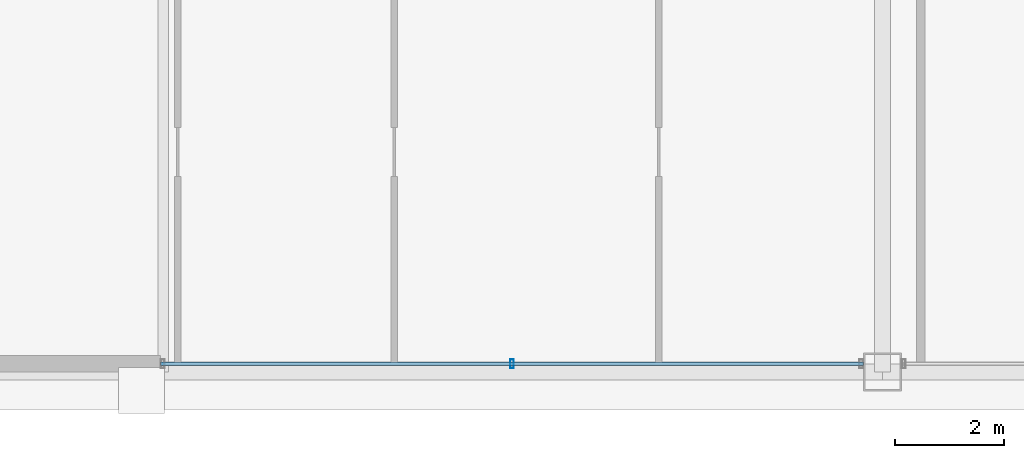
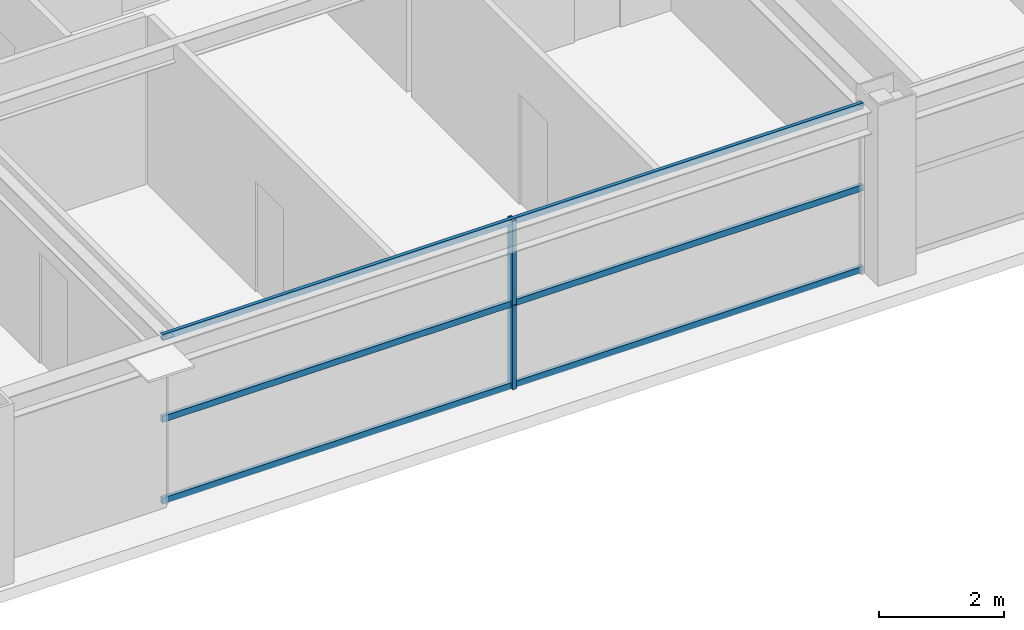
# One storey, part 5 of 36: 5 members, 1 element without a shape of its own.
"""IFC4 building model written with IfcOpenShell, lengths in metres."""

from ifc_helpers import new_model, si_unit, direction, frame, origin, origin_2d, place, context, subcontext, project, spatial, hollow_rectangle, extrude, source, transform, mapped, material, layer, layer_set, material_profile, profile_set, type_object, element, aggregate, save


model = new_model("IFC4")

# Units and contexts
model_context = context("Model", 3, precision=1e-05, world=origin(), true_north=direction((0.0, 1.0)))
body_context = subcontext(model_context, "Body", "Model", "MODEL_VIEW")
ifc_project = project(units=[si_unit("LENGTHUNIT", "METRE"), si_unit("AREAUNIT", "SQUARE_METRE"), si_unit("VOLUMEUNIT", "CUBIC_METRE"), si_unit("PLANEANGLEUNIT", "RADIAN"), si_unit("MASSUNIT", "GRAM", prefix="KILO"), si_unit("THERMODYNAMICTEMPERATUREUNIT", "KELVIN"), si_unit("POWERUNIT", "WATT")], contexts=[model_context])

# Site, building, storey
site_placement = place(None, origin())
site = spatial("IfcSite", under=ifc_project, at=site_placement, CompositionType="ELEMENT")
building_placement = place(site_placement, origin())
building = spatial("IfcBuilding", under=site, at=building_placement, Name="Yuzanri Waterfront Tower", CompositionType="ELEMENT")
storey_placement = place(building_placement, frame((0.0, 0.0, 224.10009765625)))
storey = spatial("IfcBuildingStorey", under=building, at=storey_placement, Name="L59", CompositionType="ELEMENT", Elevation=224.10009765625)

# Curtain wall, members
ifc_material_1 = material(Name="Anodized Architectural Bronze", Category="metal")
ifc_layer = layer(ifc_material_1, 0.159912109375)
ifc_layer_set = layer_set([ifc_layer], Name="Anodized Architectural Bronze")
curtain_wall_type = type_object("IfcCurtainWallType", Name="Anodized Bronze Mid-Rise Residential Acoustic Unitized Curtain Wall 7200", PredefinedType="NOTDEFINED", material=ifc_layer_set)
curtain_wall_placement = place(storey_placement, origin())
curtain_wall = element("IfcCurtainWall", 1, at=curtain_wall_placement, inside=storey, type_object=curtain_wall_type, Name="L59 Curtain Wall CW-L59-SL", PredefinedType="NOTDEFINED")
ifc_material_2 = material(Name="Anodized Architectural Bronze", Category="metal")
ifc_material_profile_1 = material_profile(ifc_material_2, hollow_rectangle(XDim=0.06494140625, YDim=0.159912109375, WallThickness=0.00341796875, at=origin_2d()), Name="CWM 65x160")
ifc_profile_set_1 = profile_set([ifc_material_profile_1], Name="Anodized Architectural Bronze")
member_type_1 = type_object("IfcMemberType", Name="Anodized Bronze Upper-Zone Curtain-Wall Mullion 65x160", PredefinedType="MULLION", material=ifc_profile_set_1)
shared_shape_1 = source(origin(), body_context, "Body", "SweptSolid", [
    extrude(hollow_rectangle(XDim=0.06494140625, YDim=0.159912109375, WallThickness=0.00341796875, at=origin_2d()), origin(), (0.0, 0.0, 1.0), 1.637939453125),
])
member_1_placement = place(storey_placement, frame((30.199951171875, 5.35009765625, 0.0), z_axis=(0.0, 0.0, 1.0), x_axis=(1.0, 0.0, 0.0)))
member_1 = element("IfcMember", 2, at=member_1_placement, type_object=member_type_1, Name="CW-L59-SL Lower Mullion 01", PredefinedType="MULLION", context=body_context, shape_type="MappedRepresentation", body=[
    mapped(shared_shape_1, transform((0.0, 0.0, 0.0), scale=1.0)),
])
member_2_placement = place(storey_placement, frame((30.199951171875, 5.35009765625, 1.641845703125), z_axis=(0.0, 0.0, 1.0), x_axis=(1.0, 0.0, 0.0)))
member_2 = element("IfcMember", 3, at=member_2_placement, type_object=member_type_1, Name="CW-L59-SL Upper Mullion 01", PredefinedType="MULLION", context=body_context, shape_type="MappedRepresentation", body=[
    mapped(shared_shape_1, transform((0.0, 0.0, 0.0), scale=1.0)),
])
ifc_material_3 = material(Name="Anodized Architectural Bronze", Category="metal")
ifc_material_profile_2 = material_profile(ifc_material_3, hollow_rectangle(XDim=0.06494140625, YDim=0.1201171875, WallThickness=0.00341796875, at=origin_2d()), Name="CWT 65x120")
ifc_profile_set_2 = profile_set([ifc_material_profile_2], Name="Anodized Architectural Bronze")
member_type_2 = type_object("IfcMemberType", Name="Anodized Bronze Secondary Curtain-Wall Transom 65x120", PredefinedType="USERDEFINED", material=ifc_profile_set_2)
shared_shape_2 = source(origin(), body_context, "Body", "SweptSolid", [
    extrude(hollow_rectangle(XDim=0.06494140625, YDim=0.1201171875, WallThickness=0.00341796875, at=origin_2d()), origin(), (0.0, 0.0, 1.0), 12.89990234375),
])
member_3_placement = place(storey_placement, frame((23.75, 5.35009765625, 0.0498046875), z_axis=(1.0, 0.0, 0.0), x_axis=(0.0, 1.0, 0.0)))
member_3 = element("IfcMember", 4, at=member_3_placement, type_object=member_type_2, Name="CW-L59-SL Transom 1", ObjectType="TRANSOM", PredefinedType="USERDEFINED", context=body_context, shape_type="MappedRepresentation", body=[
    mapped(shared_shape_2, transform((0.0, 0.0, 0.0), scale=1.0)),
])
member_4_placement = place(storey_placement, frame((23.75, 5.35009765625, 1.639892578125), z_axis=(1.0, 0.0, 0.0), x_axis=(0.0, 1.0, 0.0)))
member_4 = element("IfcMember", 5, at=member_4_placement, type_object=member_type_2, Name="CW-L59-SL Transom 2", ObjectType="TRANSOM", PredefinedType="USERDEFINED", context=body_context, shape_type="MappedRepresentation", body=[
    mapped(shared_shape_2, transform((0.0, 0.0, 0.0), scale=1.0)),
])
member_5_placement = place(storey_placement, frame((23.75, 5.35009765625, 3.22998046875), z_axis=(1.0, 0.0, 0.0), x_axis=(0.0, 1.0, 0.0)))
member_5 = element("IfcMember", 6, at=member_5_placement, type_object=member_type_2, Name="CW-L59-SL Transom 3", ObjectType="TRANSOM", PredefinedType="USERDEFINED", context=body_context, shape_type="MappedRepresentation", body=[
    mapped(shared_shape_2, transform((0.0, 0.0, 0.0), scale=1.0)),
])
aggregate(curtain_wall, [member_1, member_2, member_3, member_4, member_5])

save(model, "model.ifc")
